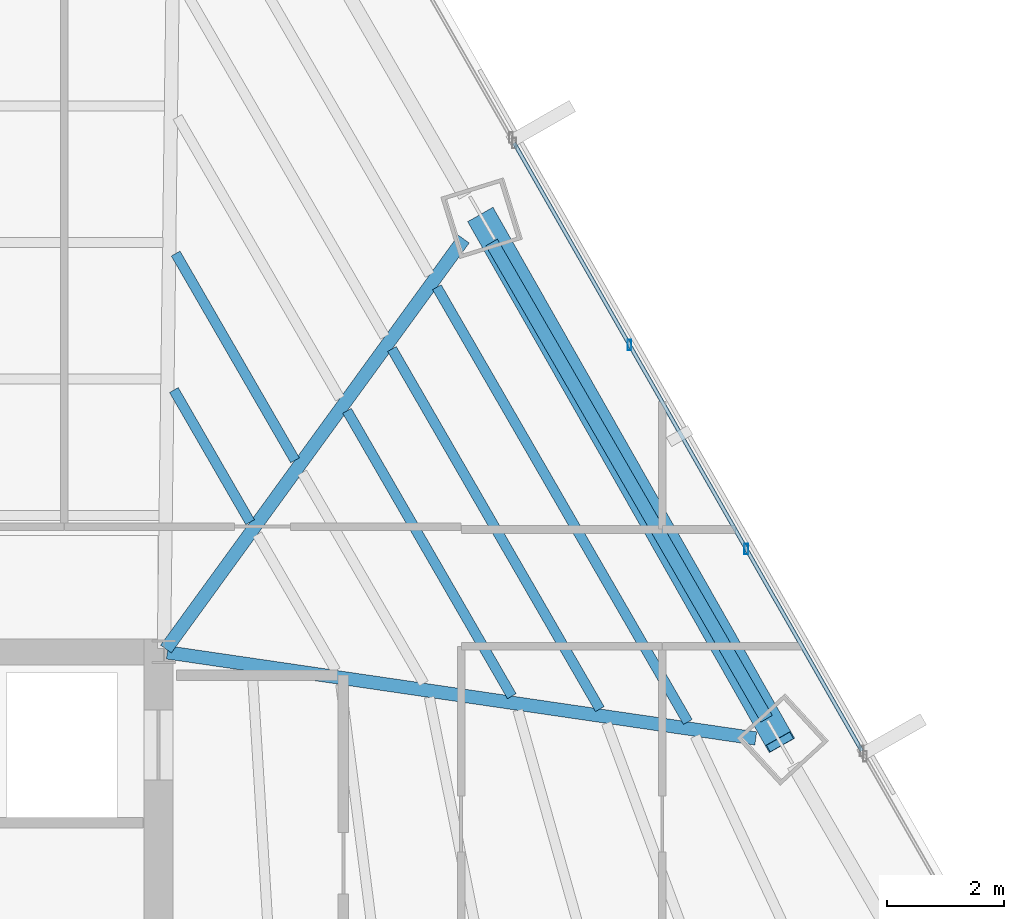
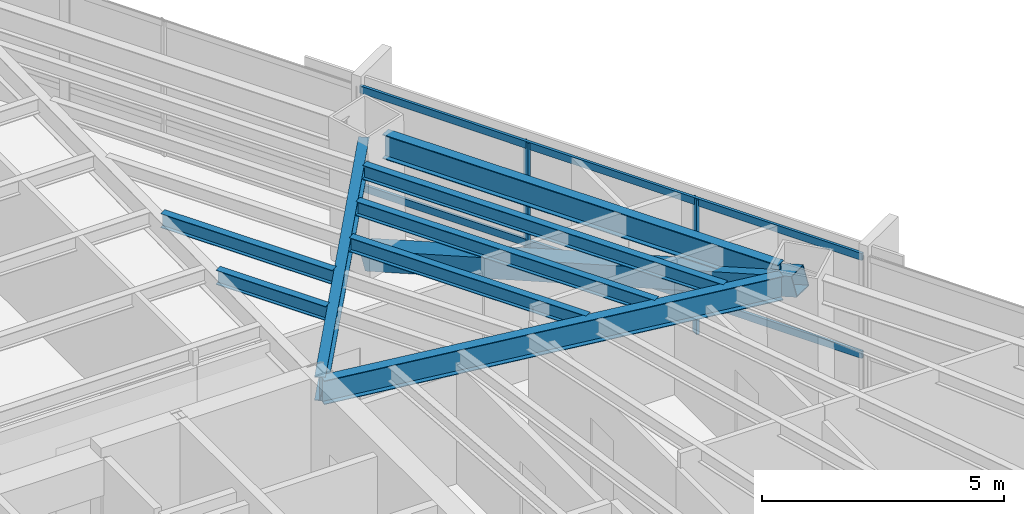
# One storey, part 22 of 35: 8 beams, 5 members, 1 element without a shape of its own.
"""IFC4 building model written with IfcOpenShell, lengths in metres."""

from ifc_helpers import new_model, si_unit, direction, frame, origin, origin_2d, place, context, subcontext, project, spatial, hollow_rectangle, i_section, extrude, source, transform, mapped, material, material_profile, profile_set, type_object, type_shapes, element, aggregate, save


model = new_model("IFC4")

# Units and contexts
model_context = context("Model", 3, precision=1e-05, world=origin(), true_north=direction((0.0, 1.0)))
body_context = subcontext(model_context, "Body", "Model", "MODEL_VIEW")
ifc_project = project(units=[si_unit("LENGTHUNIT", "METRE"), si_unit("AREAUNIT", "SQUARE_METRE"), si_unit("VOLUMEUNIT", "CUBIC_METRE"), si_unit("PLANEANGLEUNIT", "RADIAN"), si_unit("MASSUNIT", "GRAM", prefix="KILO")], contexts=[model_context])

# Site, building, storey
site_placement = place(None, origin())
site = spatial("IfcSite", under=ifc_project, at=site_placement, CompositionType="ELEMENT")
building_placement = place(site_placement, origin())
building = spatial("IfcBuilding", under=site, at=building_placement, Name="Caelisora Broadcast Tower", CompositionType="ELEMENT")
storey_placement = place(building_placement, frame((0.0, 0.0, 90.800048828125)))
storey = spatial("IfcBuildingStorey", under=building, at=storey_placement, Name="L23", CompositionType="ELEMENT", Elevation=90.800048828125)

# Beams
ifc_material_1 = material(Name="Steel Grade 350 (AS/NZS 3679.1)", Category="steel")
ifc_material_profile_1 = material_profile(ifc_material_1, i_section(OverallWidth=0.22900390625, OverallDepth=0.611572265625, WebThickness=0.011962890625, FlangeThickness=0.01953125, at=origin_2d()), Name="Steel Grade 350 (AS/NZS 3679.1)")
ifc_profile_set_1 = profile_set([ifc_material_profile_1], Name="Steel Grade 350 (AS/NZS 3679.1)")
beam_type_1 = type_object("IfcBeamType", Name="PG03", PredefinedType="BEAM", material=ifc_profile_set_1)
shared_shape_1 = source(origin(), body_context, "Body", "SweptSolid", [
    extrude(i_section(OverallWidth=0.22900390625, OverallDepth=0.611572265625, WebThickness=0.011962890625, FlangeThickness=0.01953125, at=origin_2d()), origin(), (0.0, 0.0, 1.0), 9.43505859375),
])
type_shapes(beam_type_1, [shared_shape_1])
beam_1_placement = place(storey_placement, frame((55.839599609375, 28.852294921875, 3.09423828125), z_axis=(-0.499974069032, 0.866040374518, 0.0), x_axis=(-0.866040374518, -0.499974069032, 0.0)))
element("IfcBeam", 1, at=beam_1_placement, inside=storey, type_object=beam_type_1, Name="L23 beam PG03", PredefinedType="BEAM", context=body_context, shape_type="MappedRepresentation", body=[
    mapped(shared_shape_1, transform((0.0, 0.0, 0.0), scale=1.0)),
])
ifc_material_profile_2 = material_profile(ifc_material_1, i_section(OverallWidth=0.22802734375, OverallDepth=0.602294921875, WebThickness=0.010498046875, FlangeThickness=0.014892578125, at=origin_2d()), Name="Steel Grade 350 (AS/NZS 3679.1)")
ifc_profile_set_2 = profile_set([ifc_material_profile_2], Name="Steel Grade 350 (AS/NZS 3679.1)")
beam_type_2 = type_object("IfcBeamType", Name="PG04", PredefinedType="BEAM", material=ifc_profile_set_2)
shared_shape_2 = source(origin(), body_context, "Body", "SweptSolid", [
    extrude(i_section(OverallWidth=0.22802734375, OverallDepth=0.602294921875, WebThickness=0.010498046875, FlangeThickness=0.014892578125, at=origin_2d()), origin(), (0.0, 0.0, 1.0), 8.693603515625),
])
beam_2_placement = place(storey_placement, frame((45.535400390625, 30.048583984375, 3.098876953125), z_axis=(0.587767539291, 0.809029863327, 0.0), x_axis=(-0.809029863327, 0.587767539291, 0.0)))
element("IfcBeam", 2, at=beam_2_placement, inside=storey, type_object=beam_type_2, Name="L23 beam PG04", PredefinedType="BEAM", context=body_context, shape_type="MappedRepresentation", body=[
    mapped(shared_shape_2, transform((0.0, 0.0, 0.0), scale=1.0)),
])
shared_shape_3 = source(origin(), body_context, "Body", "SweptSolid", [
    extrude(i_section(OverallWidth=0.22802734375, OverallDepth=0.602294921875, WebThickness=0.010498046875, FlangeThickness=0.014892578125, at=origin_2d()), origin(), (0.0, 0.0, 1.0), 10.2021484375),
])
type_shapes(beam_type_2, [shared_shape_2, shared_shape_3])
beam_3_placement = place(storey_placement, frame((45.559326171875, 29.9912109375, 3.098876953125), z_axis=(0.989474523325, -0.144707179127, 0.0), x_axis=(0.144707179127, 0.989474523325, 0.0)))
element("IfcBeam", 3, at=beam_3_placement, inside=storey, type_object=beam_type_2, Name="L23 beam PG04", PredefinedType="BEAM", context=body_context, shape_type="MappedRepresentation", body=[
    mapped(shared_shape_3, transform((0.0, 0.0, 0.0), scale=1.0)),
])
ifc_material_profile_3 = material_profile(ifc_material_1, i_section(OverallWidth=0.172119140625, OverallDepth=0.358642578125, WebThickness=0.008056640625, FlangeThickness=0.012939453125, at=origin_2d()), Name="Steel Grade 350 (AS/NZS 3679.1)")
ifc_profile_set_3 = profile_set([ifc_material_profile_3], Name="Steel Grade 350 (AS/NZS 3679.1)")
beam_type_3 = type_object("IfcBeamType", Name="SB02", PredefinedType="JOIST", material=ifc_profile_set_3)
shared_shape_4 = source(origin(), body_context, "Body", "SweptSolid", [
    extrude(i_section(OverallWidth=0.172119140625, OverallDepth=0.358642578125, WebThickness=0.008056640625, FlangeThickness=0.012939453125, at=origin_2d()), origin(), (0.0, 0.0, 1.0), 2.61669921875),
])
beam_4_placement = place(storey_placement, frame((46.979736328125, 32.22607421875, 3.220703125), z_axis=(-0.500002435262, 0.86602399778, 0.0), x_axis=(-0.86602399778, -0.500002435262, 0.0)))
element("IfcBeam", 4, at=beam_4_placement, inside=storey, type_object=beam_type_3, Name="L23 beam SB02", PredefinedType="JOIST", context=body_context, shape_type="MappedRepresentation", body=[
    mapped(shared_shape_4, transform((0.0, 0.0, 0.0), scale=1.0)),
])
shared_shape_5 = source(origin(), body_context, "Body", "SweptSolid", [
    extrude(i_section(OverallWidth=0.172119140625, OverallDepth=0.358642578125, WebThickness=0.008056640625, FlangeThickness=0.012939453125, at=origin_2d()), origin(), (0.0, 0.0, 1.0), 4.095947265625),
])
beam_5_placement = place(storey_placement, frame((47.75, 33.286376953125, 3.220703125), z_axis=(-0.500030306347, 0.8660079057, 0.0), x_axis=(-0.8660079057, -0.500030306347, 0.0)))
element("IfcBeam", 5, at=beam_5_placement, inside=storey, type_object=beam_type_3, Name="L23 beam SB02", PredefinedType="JOIST", context=body_context, shape_type="MappedRepresentation", body=[
    mapped(shared_shape_5, transform((0.0, 0.0, 0.0), scale=1.0)),
])
shared_shape_6 = source(origin(), body_context, "Body", "SweptSolid", [
    extrude(i_section(OverallWidth=0.172119140625, OverallDepth=0.358642578125, WebThickness=0.008056640625, FlangeThickness=0.012939453125, at=origin_2d()), origin(), (0.0, 0.0, 1.0), 5.653076171875),
])
beam_6_placement = place(storey_placement, frame((51.46875, 29.23974609375, 3.220703125), z_axis=(-0.500012795616, 0.866018016106, 0.0), x_axis=(-0.866018016106, -0.500012795616, 0.0)))
element("IfcBeam", 6, at=beam_6_placement, inside=storey, type_object=beam_type_3, Name="L23 beam SB02", PredefinedType="JOIST", context=body_context, shape_type="MappedRepresentation", body=[
    mapped(shared_shape_6, transform((0.0, 0.0, 0.0), scale=1.0)),
])
shared_shape_7 = source(origin(), body_context, "Body", "SweptSolid", [
    extrude(i_section(OverallWidth=0.172119140625, OverallDepth=0.358642578125, WebThickness=0.008056640625, FlangeThickness=0.012939453125, at=origin_2d()), origin(), (0.0, 0.0, 1.0), 7.132080078125),
])
beam_7_placement = place(storey_placement, frame((52.978515625, 29.01904296875, 3.220703125), z_axis=(-0.499975307128, 0.866039659752, 0.0), x_axis=(-0.866039659752, -0.499975307128, 0.0)))
element("IfcBeam", 7, at=beam_7_placement, inside=storey, type_object=beam_type_3, Name="L23 beam SB02", PredefinedType="JOIST", context=body_context, shape_type="MappedRepresentation", body=[
    mapped(shared_shape_7, transform((0.0, 0.0, 0.0), scale=1.0)),
])
shared_shape_8 = source(origin(), body_context, "Body", "SweptSolid", [
    extrude(i_section(OverallWidth=0.172119140625, OverallDepth=0.358642578125, WebThickness=0.008056640625, FlangeThickness=0.012939453125, at=origin_2d()), origin(), (0.0, 0.0, 1.0), 8.611572265625),
])
type_shapes(beam_type_3, [shared_shape_4, shared_shape_5, shared_shape_6, shared_shape_7, shared_shape_8])
beam_8_placement = place(storey_placement, frame((54.488525390625, 28.798095703125, 3.220703125), z_axis=(-0.499980948172, 0.866036403083, 0.0), x_axis=(-0.866036403083, -0.499980948172, 0.0)))
element("IfcBeam", 8, at=beam_8_placement, inside=storey, type_object=beam_type_3, Name="L23 beam SB02", PredefinedType="JOIST", context=body_context, shape_type="MappedRepresentation", body=[
    mapped(shared_shape_8, transform((0.0, 0.0, 0.0), scale=1.0)),
])

# Member
ifc_material_2 = material(Name="Steel Grade 450 L15 (AS/NZS 3678)", Category="steel")
ifc_material_profile_4 = material_profile(ifc_material_2, hollow_rectangle(XDim=0.5, YDim=0.5, WallThickness=0.02001953125, at=origin_2d()), Name="Steel Grade 450 L15 (AS/NZS 3678)")
ifc_profile_set_4 = profile_set([ifc_material_profile_4], Name="Steel Grade 450 L15 (AS/NZS 3678)")
member_type_1 = type_object("IfcMemberType", Name="BR02", PredefinedType="BRACE", material=ifc_profile_set_4)
shared_shape_9 = source(origin(), body_context, "Body", "SweptSolid", [
    extrude(hollow_rectangle(XDim=0.5, YDim=0.5, WallThickness=0.02001953125, at=origin_2d()), origin(), (0.0, 0.0, 1.0), 10.765380859375),
])
type_shapes(member_type_1, [shared_shape_9])
member_1_placement = place(storey_placement, frame((56.069580078125, 28.4541015625, 3.099853515625), z_axis=(-0.474361380667, 0.835059270397, -0.278670585917), x_axis=(-0.869503117025, -0.493927453664, 0.0)))
element("IfcMember", 9, at=member_1_placement, inside=storey, type_object=member_type_1, Name="L23 perimeter brace BR02", PredefinedType="BRACE", context=body_context, shape_type="MappedRepresentation", body=[
    mapped(shared_shape_9, transform((0.0, 0.0, 0.0), scale=1.0)),
])

# Curtain wall, members
ifc_material_3 = material(Name="Unitised Aluminium Insulated Shadow-Box Spandrel Curtain Wall", Category="aluminium")
curtain_wall_type = type_object("IfcCurtainWallType", Name="CW-SP1", PredefinedType="NOTDEFINED", material=ifc_material_3)
curtain_wall_placement = place(storey_placement, origin())
curtain_wall = element("IfcCurtainWall", 10, at=curtain_wall_placement, inside=storey, type_object=curtain_wall_type, Name="L23 curtain wall CW-SP1", PredefinedType="NOTDEFINED")
ifc_material_4 = material(Name="Aluminium 6063-T6 Anodised Terracotta Bronze", Category="aluminium")
ifc_material_profile_5 = material_profile(ifc_material_4, hollow_rectangle(XDim=0.06494140625, YDim=0.179931640625, WallThickness=0.00341796875, at=origin_2d()), Name="Aluminium 6063-T6 Anodised Terracotta Bronze")
ifc_profile_set_5 = profile_set([ifc_material_profile_5], Name="Aluminium 6063-T6 Anodised Terracotta Bronze")
member_type_2 = type_object("IfcMemberType", Name="CWM-02", PredefinedType="MULLION", material=ifc_profile_set_5)
shared_shape_10 = source(origin(), body_context, "Body", "SweptSolid", [
    extrude(hollow_rectangle(XDim=0.06494140625, YDim=0.179931640625, WallThickness=0.00341796875, at=origin_2d()), origin(), (0.0, 0.0, 1.0), 3.39990234375),
])
type_shapes(member_type_2, [shared_shape_10])
member_2_placement = place(storey_placement, frame((53.48828125, 35.26806640625, 0.0), z_axis=(0.0, 0.0, 1.0), x_axis=(1.0, 0.0, 0.0)))
member_2 = element("IfcMember", 11, at=member_2_placement, type_object=member_type_2, Name="L23-CW-B02 mullion #1", PredefinedType="MULLION", context=body_context, shape_type="MappedRepresentation", body=[
    mapped(shared_shape_10, transform((0.0, 0.0, 0.0), scale=1.0)),
])
member_3_placement = place(storey_placement, frame((55.492919921875, 31.763671875, 0.0), z_axis=(0.0, 0.0, 1.0), x_axis=(1.0, 0.0, 0.0)))
member_3 = element("IfcMember", 12, at=member_3_placement, type_object=member_type_2, Name="L23-CW-B02 mullion #2", PredefinedType="MULLION", context=body_context, shape_type="MappedRepresentation", body=[
    mapped(shared_shape_10, transform((0.0, 0.0, 0.0), scale=1.0)),
])
ifc_material_profile_6 = material_profile(ifc_material_4, hollow_rectangle(XDim=0.06494140625, YDim=0.179931640625, WallThickness=0.00341796875, at=origin_2d()), Name="Aluminium 6063-T6 Anodised Terracotta Bronze")
ifc_profile_set_6 = profile_set([ifc_material_profile_6], Name="Aluminium 6063-T6 Anodised Terracotta Bronze")
member_type_3 = type_object("IfcMemberType", Name="CWT-01", PredefinedType="USERDEFINED", material=ifc_profile_set_6)
shared_shape_11 = source(origin(), body_context, "Body", "SweptSolid", [
    extrude(hollow_rectangle(XDim=0.06494140625, YDim=0.179931640625, WallThickness=0.00341796875, at=origin_2d()), origin(), (0.0, 0.0, 1.0), 12.01220703125),
])
type_shapes(member_type_3, [shared_shape_11])
member_4_placement = place(storey_placement, frame((51.50830078125, 38.729248046875, 0.849853515625), z_axis=(0.496543807674, -0.868011662975, 0.0), x_axis=(0.868011662975, 0.496543807674, 0.0)))
member_4 = element("IfcMember", 13, at=member_4_placement, type_object=member_type_3, Name="L23-CW-B02 transom #1", ObjectType="TRANSOM", PredefinedType="USERDEFINED", context=body_context, shape_type="MappedRepresentation", body=[
    mapped(shared_shape_11, transform((0.0, 0.0, 0.0), scale=1.0)),
])
member_5_placement = place(storey_placement, frame((51.50830078125, 38.729248046875, 3.320068359375), z_axis=(0.496543807674, -0.868011662975, 0.0), x_axis=(0.868011662975, 0.496543807674, 0.0)))
member_5 = element("IfcMember", 14, at=member_5_placement, type_object=member_type_3, Name="L23-CW-B02 transom #2", ObjectType="TRANSOM", PredefinedType="USERDEFINED", context=body_context, shape_type="MappedRepresentation", body=[
    mapped(shared_shape_11, transform((0.0, 0.0, 0.0), scale=1.0)),
])
aggregate(curtain_wall, [member_2, member_3, member_4, member_5])

save(model, "model.ifc")
